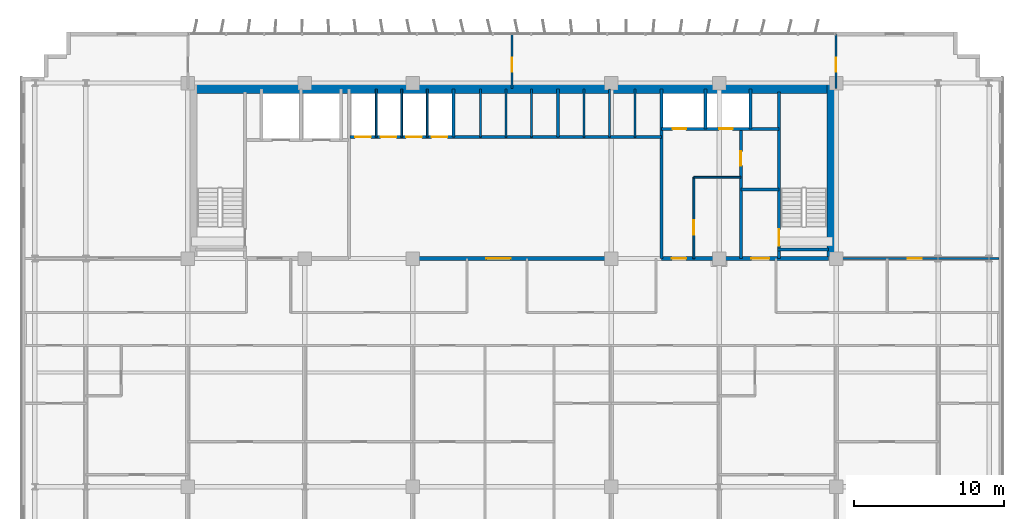
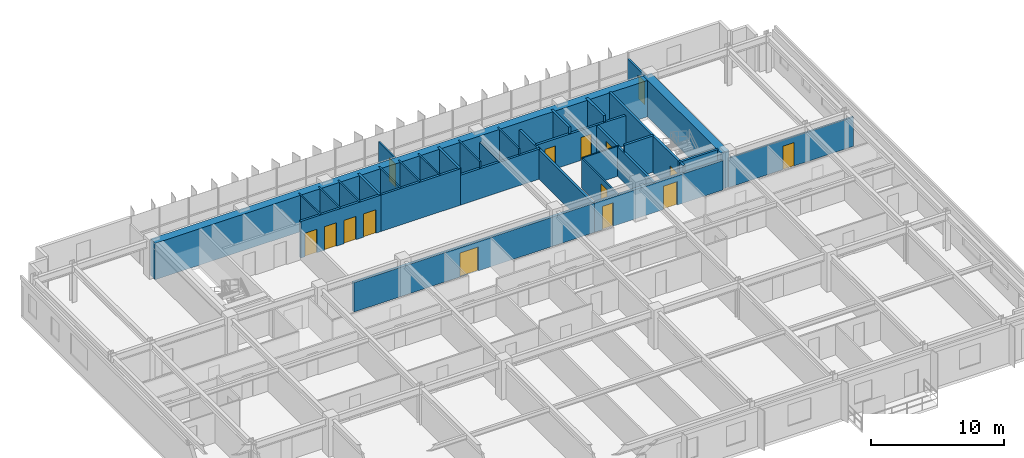
# One storey, part 18 of 22: 31 walls, 15 doors, 15 openings.
"""IFC4 building model written with IfcOpenShell, lengths in metres."""

from ifc_helpers import new_model, si_unit, direction, frame, frame_2d, origin, place, context, subcontext, project, spatial, rectangle, extrude, source, transform, mapped, material, layer, layer_set, type_object, element, fill, save


model = new_model("IFC4")

# Units and contexts
model_context = context("Model", 3, precision=1e-05, world=origin(), true_north=direction((0.0, 1.0)))
body_context = subcontext(model_context, "Body", "Model", "MODEL_VIEW")
ifc_project = project(units=[si_unit("LENGTHUNIT", "METRE"), si_unit("AREAUNIT", "SQUARE_METRE"), si_unit("VOLUMEUNIT", "CUBIC_METRE"), si_unit("PLANEANGLEUNIT", "RADIAN"), si_unit("MASSUNIT", "GRAM", prefix="KILO")], contexts=[model_context])

# Site, building, storey
site_placement = place(None, origin())
site = spatial("IfcSite", under=ifc_project, at=site_placement, CompositionType="ELEMENT")
building_placement = place(site_placement, origin())
building = spatial("IfcBuilding", under=site, at=building_placement, Name="Trelvane Seafront Commons", CompositionType="ELEMENT")
storey_placement = place(building_placement, frame((0.0, 0.0, 55.89990234375)))
storey = spatial("IfcBuildingStorey", under=building, at=storey_placement, Name="L14", CompositionType="ELEMENT", Elevation=55.89990234375)

# Wall, opening, door
ifc_material_1 = material(Name="Concrete C40/50", Category="concrete")
ifc_layer_1 = layer(ifc_material_1, 0.199951171875, Name="ARCH-WALL-FIRE200")
ifc_layer_set_1 = layer_set([ifc_layer_1], Name="Concrete C40/50")
wall_type_1 = type_object("IfcWallType", Name="ARCH-WALL-FIRE200", PredefinedType="PARTITIONING", material=ifc_layer_set_1)
wall_1_placement = place(storey_placement, frame((52.449951171875, 33.39990234375, 0.0), z_axis=(0.0, 0.0, 1.0), x_axis=(0.0, 1.0, 0.0)))
wall_1 = element("IfcWall", 1, at=wall_1_placement, inside=storey, type_object=wall_type_1, Name="W-L14-ST2V-W-033", PredefinedType="PARTITIONING", context=body_context, shape_type="SweptSolid", body=[
    extrude(rectangle(XDim=8.650146484375, YDim=0.199951171875, at=frame_2d((4.3251953125, 0.0))), origin(), (0.0, 0.0, 1.0), 2.690185546875),
])
opening_1_placement = place(wall_1_placement, frame((6.199951171875, 0.0, 0.0)))
opening_1 = element("IfcOpeningElement", 2, at=opening_1_placement, cuts=wall_1, Name="Opening FD-L14-13", PredefinedType="OPENING", context=body_context, shape_type="SweptSolid", body=[
    extrude(rectangle(XDim=0.949951171875, YDim=2.14990234375, at=frame_2d((0.47509765625, 1.074951171875))), frame((0.0, 0.10986328125, 0.0), z_axis=(0.0, -1.0, 0.0), x_axis=(1.0, 0.0, 0.0)), (0.0, 0.0, 1.0), 0.219970703125),
])
ifc_material_2 = material(Name="Powder-coated aluminium frame", Category="aluminium")
door_type_1 = type_object("IfcDoorType", Name="ARCH-DR-FD60-950", OperationType="NOTDEFINED", PredefinedType="DOOR", material=ifc_material_2)
shared_shape_1 = source(origin(), body_context, "Body", "SweptSolid", [
    extrude(rectangle(XDim=0.949951171875, YDim=2.14990234375, at=frame_2d((0.47509765625, 1.074951171875))), frame((0.0, 0.02490234375, 0.0), z_axis=(0.0, -1.0, 0.0), x_axis=(1.0, 0.0, 0.0)), (0.0, 0.0, 1.0), 0.050048828125),
])
door_1_placement = place(opening_1_placement, origin())
door_1 = element("IfcDoor", 3, at=door_1_placement, inside=storey, type_object=door_type_1, Name="L14 Cleaner Store Door", OperationType="SINGLE_SWING_LEFT", OverallHeight=2.14990234375, OverallWidth=0.949951171875, PredefinedType="DOOR", context=body_context, shape_type="MappedRepresentation", body=[
    mapped(shared_shape_1, transform((0.0, 0.0, 0.0), x_axis=(1.0, 0.0, 0.0), y_axis=(0.0, 1.0, 0.0), z_axis=(0.0, 0.0, 1.0), scale=1.0)),
])
fill(opening_1, door_1)

# Wall
wall_2_placement = place(storey_placement, frame((52.449951171875, 38.0, 0.0), z_axis=(0.0, 0.0, 1.0), x_axis=(1.0, 0.0, 0.0)))
element("IfcWall", 4, at=wall_2_placement, inside=storey, type_object=wall_type_1, Name="W-L14-ST2V-N-034", PredefinedType="PARTITIONING", context=body_context, shape_type="SweptSolid", body=[
    extrude(rectangle(XDim=2.550048828125, YDim=0.199951171875, at=frame_2d((1.27490234375, 0.0))), origin(), (0.0, 0.0, 1.0), 3.340087890625),
])

# Wall, opening, door
ifc_layer_2 = layer(ifc_material_1, 0.25, Name="ARCH-WALL-FIRE250")
ifc_layer_set_2 = layer_set([ifc_layer_2], Name="Concrete C40/50")
wall_type_2 = type_object("IfcWallType", Name="ARCH-WALL-FIRE250", PredefinedType="PARTITIONING", material=ifc_layer_set_2)
wall_3_placement = place(storey_placement, frame((26.300048828125, 33.39990234375, 0.0), z_axis=(0.0, 0.0, 1.0), x_axis=(1.0, 0.0, 0.0)))
wall_3 = element("IfcWall", 5, at=wall_3_placement, inside=storey, type_object=wall_type_2, Name="W-L14-CS-PAX-029", PredefinedType="PARTITIONING", context=body_context, shape_type="SweptSolid", body=[
    extrude(rectangle(XDim=20.849853515625, YDim=0.25, at=frame_2d((10.4248046875, 0.0))), origin(), (0.0, 0.0, 1.0), 2.690185546875),
])
opening_2_placement = place(wall_3_placement, frame((9.199951171875, 0.0, 0.0)))
opening_2 = element("IfcOpeningElement", 6, at=opening_2_placement, cuts=wall_3, Name="Opening FD-L14-10", PredefinedType="OPENING", context=body_context, shape_type="SweptSolid", body=[
    extrude(rectangle(XDim=1.60009765625, YDim=2.199951171875, at=frame_2d((0.800048828125, 1.10009765625))), frame((0.0, 0.135009765625, 0.0), z_axis=(0.0, -1.0, 0.0), x_axis=(1.0, 0.0, 0.0)), (0.0, 0.0, 1.0), 0.27001953125),
])
door_type_2 = type_object("IfcDoorType", Name="ARCH-DR-FD60-1600", OperationType="DOUBLE_DOOR_SINGLE_SWING", PredefinedType="DOOR", material=ifc_material_2)
shared_shape_2 = source(origin(), body_context, "Body", "SweptSolid", [
    extrude(rectangle(XDim=1.60009765625, YDim=2.199951171875, at=frame_2d((0.800048828125, 1.10009765625))), frame((0.0, 0.02490234375, 0.0), z_axis=(0.0, -1.0, 0.0), x_axis=(1.0, 0.0, 0.0)), (0.0, 0.0, 1.0), 0.050048828125),
])
door_2_placement = place(opening_2_placement, origin())
door_2 = element("IfcDoor", 7, at=door_2_placement, inside=storey, type_object=door_type_2, Name="L14 Passenger Lift Lobby Double Door", OperationType="DOUBLE_DOOR_SINGLE_SWING", OverallHeight=2.199951171875, OverallWidth=1.60009765625, PredefinedType="DOOR", context=body_context, shape_type="MappedRepresentation", body=[
    mapped(shared_shape_2, transform((0.0, 0.0, 0.0), x_axis=(1.0, 0.0, 0.0), y_axis=(0.0, 1.0, 0.0), z_axis=(0.0, 0.0, 1.0), scale=1.0)),
])
fill(opening_2, door_2)

# Wall, openings, doors
wall_4_placement = place(storey_placement, frame((47.14990234375, 33.39990234375, 0.0), z_axis=(0.0, 0.0, 1.0), x_axis=(1.0, 0.0, 0.0)))
wall_4 = element("IfcWall", 8, at=wall_4_placement, inside=storey, type_object=wall_type_2, Name="W-L14-CS-EAST-037", PredefinedType="PARTITIONING", context=body_context, shape_type="SweptSolid", body=[
    extrude(rectangle(XDim=11.150146484375, YDim=0.25, at=frame_2d((5.5751953125, 0.0))), origin(), (0.0, 0.0, 1.0), 2.690185546875),
])
opening_3_placement = place(wall_4_placement, frame((0.699951171875, 0.0, 0.0)))
opening_3 = element("IfcOpeningElement", 9, at=opening_3_placement, cuts=wall_4, Name="Opening FD-L14-15", PredefinedType="OPENING", context=body_context, shape_type="SweptSolid", body=[
    extrude(rectangle(XDim=0.949951171875, YDim=2.14990234375, at=frame_2d((0.47509765625, 1.074951171875))), frame((0.0, 0.135009765625, 0.0), z_axis=(0.0, -1.0, 0.0), x_axis=(1.0, 0.0, 0.0)), (0.0, 0.0, 1.0), 0.27001953125),
])
opening_4_placement = place(wall_4_placement, frame((6.0, 0.0, 0.0)))
opening_4 = element("IfcOpeningElement", 10, at=opening_4_placement, cuts=wall_4, Name="Opening FD-L14-16", PredefinedType="OPENING", context=body_context, shape_type="SweptSolid", body=[
    extrude(rectangle(XDim=1.199951171875, YDim=2.14990234375, at=frame_2d((0.60009765625, 1.074951171875))), frame((0.0, 0.135009765625, 0.0), z_axis=(0.0, -1.0, 0.0), x_axis=(1.0, 0.0, 0.0)), (0.0, 0.0, 1.0), 0.27001953125),
])
door_3_placement = place(opening_3_placement, origin())
door_3 = element("IfcDoor", 11, at=door_3_placement, inside=storey, type_object=door_type_1, Name="L14 Core Service Lobby Door", OperationType="SINGLE_SWING_LEFT", OverallHeight=2.14990234375, OverallWidth=0.949951171875, PredefinedType="DOOR", context=body_context, shape_type="MappedRepresentation", body=[
    mapped(shared_shape_1, transform((0.0, 0.0, 0.0), x_axis=(1.0, 0.0, 0.0), y_axis=(0.0, 1.0, 0.0), z_axis=(0.0, 0.0, 1.0), scale=1.0)),
])
fill(opening_3, door_3)
door_type_3 = type_object("IfcDoorType", Name="ARCH-DR-FD60-1200", OperationType="NOTDEFINED", PredefinedType="DOOR", material=ifc_material_2)
shared_shape_3 = source(origin(), body_context, "Body", "SweptSolid", [
    extrude(rectangle(XDim=1.199951171875, YDim=2.14990234375, at=frame_2d((0.60009765625, 1.074951171875))), frame((0.0, 0.02490234375, 0.0), z_axis=(0.0, -1.0, 0.0), x_axis=(1.0, 0.0, 0.0)), (0.0, 0.0, 1.0), 0.050048828125),
])
door_4_placement = place(opening_4_placement, origin())
door_4 = element("IfcDoor", 12, at=door_4_placement, inside=storey, type_object=door_type_3, Name="L14 East Stair Vestibule Fire Door", OperationType="SINGLE_SWING_RIGHT", OverallHeight=2.14990234375, OverallWidth=1.199951171875, PredefinedType="DOOR", context=body_context, shape_type="MappedRepresentation", body=[
    mapped(shared_shape_3, transform((0.0, 0.0, 0.0), x_axis=(1.0, 0.0, 0.0), y_axis=(0.0, 1.0, 0.0), z_axis=(0.0, 0.0, 1.0), scale=1.0)),
])
fill(opening_4, door_4)

# Walls
ifc_material_3 = material(Name="Gypsum Drywall Acoustic Partition")
ifc_layer_3 = layer(ifc_material_3, 0.1201171875, Name="ARCH-WALL-PART120")
ifc_layer_set_3 = layer_set([ifc_layer_3], Name="Gypsum Drywall Acoustic Partition")
wall_type_3 = type_object("IfcWallType", Name="ARCH-WALL-PART120", PredefinedType="PARTITIONING", material=ifc_layer_set_3)
for number, where, z_axis, x_axis, name in (
    (13, (28.14990234375, 41.5, 0.0), (0.0, 0.0, 1.0), (0.0, 1.0, 0.0), "W-L14-PL-DIV1-016"),
    (14, (29.85009765625, 41.5, 0.0), (0.0, 0.0, 1.0), (0.0, 1.0, 0.0), "W-L14-PL-DIV2-017"),
    (15, (31.550048828125, 41.5, 0.0), (0.0, 0.0, 1.0), (0.0, 1.0, 0.0), "W-L14-PL-DIV3-018"),
    (16, (35.10009765625, 41.5, 0.0), (0.0, 0.0, 1.0), (0.0, 1.0, 0.0), "W-L14-PM-DIV1-020"),
    (17, (36.800048828125, 41.5, 0.0), (0.0, 0.0, 1.0), (0.0, 1.0, 0.0), "W-L14-PM-DIV2-021"),
    (18, (38.5, 41.5, 0.0), (0.0, 0.0, 1.0), (0.0, 1.0, 0.0), "W-L14-PM-DIV3-022"),
    (19, (42.0, 41.5, 0.0), (0.0, 0.0, 1.0), (0.0, 1.0, 0.0), "W-L14-PH-DIV1-025"),
):
    element("IfcWall", number, at=place(storey_placement, frame(where, z_axis=z_axis, x_axis=x_axis)), inside=storey, type_object=wall_type_3, Name=name, PredefinedType="PARTITIONING", context=body_context, shape_type="SweptSolid", body=[
        extrude(rectangle(XDim=3.199951171875, YDim=0.1201171875, at=frame_2d((1.60009765625, 0.0))), origin(), (0.0, 0.0, 1.0), 3.340087890625),
    ])
wall_5_placement = place(storey_placement, frame((43.699951171875, 41.5, 0.0), z_axis=(0.0, 0.0, 1.0), x_axis=(0.0, 1.0, 0.0)))
element("IfcWall", 20, at=wall_5_placement, inside=storey, type_object=wall_type_3, Name="W-L14-PH-DIV2-026", PredefinedType="PARTITIONING", context=body_context, shape_type="SweptSolid", body=[
    extrude(rectangle(XDim=3.199951171875, YDim=0.1201171875, at=frame_2d((1.60009765625, 0.0))), origin(), (0.0, 0.0, 1.0), 2.752197265625),
])
wall_6_placement = place(storey_placement, frame((45.39990234375, 41.5, 0.0), z_axis=(0.0, 0.0, 1.0), x_axis=(0.0, 1.0, 0.0)))
element("IfcWall", 21, at=wall_6_placement, inside=storey, type_object=wall_type_3, Name="W-L14-PH-DIV3-027", PredefinedType="PARTITIONING", context=body_context, shape_type="SweptSolid", body=[
    extrude(rectangle(XDim=3.199951171875, YDim=0.1201171875, at=frame_2d((1.60009765625, 0.0))), origin(), (0.0, 0.0, 1.0), 3.340087890625),
])

# Wall, opening, door
wall_7_placement = place(storey_placement, frame((49.320068359375, 33.39990234375, 0.0), z_axis=(0.0, 0.0, 1.0), x_axis=(0.0, 1.0, 0.0)))
wall_7 = element("IfcWall", 22, at=wall_7_placement, inside=storey, type_object=wall_type_3, Name="W-L14-CYC2-V-035", PredefinedType="PARTITIONING", context=body_context, shape_type="SweptSolid", body=[
    extrude(rectangle(XDim=5.420166015625, YDim=0.1201171875, at=frame_2d((2.7099609375, 0.0))), origin(), (0.0, 0.0, 1.0), 2.690185546875),
])
opening_5_placement = place(wall_7_placement, frame((1.60009765625, 0.0, 0.0)))
opening_5 = element("IfcOpeningElement", 23, at=opening_5_placement, cuts=wall_7, Name="Opening D-L14-14", PredefinedType="OPENING", context=body_context, shape_type="SweptSolid", body=[
    extrude(rectangle(XDim=0.949951171875, YDim=2.14990234375, at=frame_2d((0.47509765625, 1.074951171875))), frame((0.0, 0.070068359375, 0.0), z_axis=(0.0, -1.0, 0.0), x_axis=(1.0, 0.0, 0.0)), (0.0, 0.0, 1.0), 0.14013671875),
])
ifc_material_4 = material(Name="Acoustic timber door leaf", Category="wood")
door_type_4 = type_object("IfcDoorType", Name="ARCH-DR-INT950", OperationType="NOTDEFINED", PredefinedType="DOOR", material=ifc_material_4)
door_5_placement = place(opening_5_placement, origin())
door_5 = element("IfcDoor", 24, at=door_5_placement, inside=storey, type_object=door_type_4, Name="L14 Accessible WC Door", OperationType="SINGLE_SWING_RIGHT", OverallHeight=2.14990234375, OverallWidth=0.949951171875, PredefinedType="DOOR", context=body_context, shape_type="MappedRepresentation", body=[
    mapped(shared_shape_1, transform((0.0, 0.0, 0.0), x_axis=(1.0, 0.0, 0.0), y_axis=(0.0, 1.0, 0.0), z_axis=(0.0, 0.0, 1.0), scale=1.0)),
])
fill(opening_5, door_5)

# Wall
wall_8_placement = place(storey_placement, frame((49.320068359375, 38.820068359375, 0.0), z_axis=(0.0, 0.0, 1.0), x_axis=(1.0, 0.0, 0.0)))
element("IfcWall", 25, at=wall_8_placement, inside=storey, type_object=wall_type_3, Name="W-L14-CYC2-H-036", PredefinedType="PARTITIONING", context=body_context, shape_type="SweptSolid", body=[
    extrude(rectangle(XDim=3.1298828125, YDim=0.1201171875, at=frame_2d((1.56494140625, 0.0))), origin(), (0.0, 0.0, 1.0), 2.752197265625),
])

# Wall, opening, door
wall_9_placement = place(storey_placement, frame((37.199951171875, 44.75, 0.0), z_axis=(0.0, 0.0, 1.0), x_axis=(0.0, 1.0, 0.0)))
wall_9 = element("IfcWall", 26, at=wall_9_placement, inside=storey, type_object=wall_type_3, Name="W-L14-N-MID-DV-051", PredefinedType="PARTITIONING", context=body_context, shape_type="SweptSolid", body=[
    extrude(rectangle(XDim=3.610107421875, YDim=0.1201171875, at=frame_2d((1.80517578125, 0.0))), origin(), (0.0, 0.0, 1.0), 2.690185546875),
])
opening_6_placement = place(wall_9_placement, frame((1.10009765625, 0.0, 0.0)))
opening_6 = element("IfcOpeningElement", 27, at=opening_6_placement, cuts=wall_9, Name="Opening D-L14-24", PredefinedType="OPENING", context=body_context, shape_type="SweptSolid", body=[
    extrude(rectangle(XDim=0.949951171875, YDim=2.14990234375, at=frame_2d((0.47509765625, 1.074951171875))), frame((0.0, 0.070068359375, 0.0), z_axis=(0.0, -1.0, 0.0), x_axis=(1.0, 0.0, 0.0)), (0.0, 0.0, 1.0), 0.14013671875),
])
door_6_placement = place(opening_6_placement, origin())
door_6 = element("IfcDoor", 28, at=door_6_placement, inside=storey, type_object=door_type_4, Name="L14 Door 24", OperationType="SINGLE_SWING_RIGHT", OverallHeight=2.14990234375, OverallWidth=0.949951171875, PredefinedType="DOOR", context=body_context, shape_type="MappedRepresentation", body=[
    mapped(shared_shape_1, transform((0.0, 0.0, 0.0), x_axis=(1.0, 0.0, 0.0), y_axis=(0.0, 1.0, 0.0), z_axis=(0.0, 0.0, 1.0), scale=1.0)),
])
fill(opening_6, door_6)

ifc_layer_4 = layer(ifc_material_3, 0.14990234375, Name="ARCH-WALL-PART150")
ifc_layer_set_4 = layer_set([ifc_layer_4], Name="Gypsum Drywall Acoustic Partition")
wall_type_4 = type_object("IfcWallType", Name="ARCH-WALL-PART150", PredefinedType="PARTITIONING", material=ifc_layer_set_4)
wall_10_placement = place(storey_placement, frame((58.800048828125, 33.39990234375, 0.0), z_axis=(0.0, 0.0, 1.0), x_axis=(1.0, 0.0, 0.0)))
wall_10 = element("IfcWall", 29, at=wall_10_placement, inside=storey, type_object=wall_type_4, Name="W-L14-NE-ENT-050", PredefinedType="PARTITIONING", context=body_context, shape_type="SweptSolid", body=[
    extrude(rectangle(XDim=10.849853515625, YDim=0.14990234375, at=frame_2d((5.4248046875, 0.0))), origin(), (0.0, 0.0, 1.0), 2.690185546875),
])
opening_7_placement = place(wall_10_placement, frame((4.760009765625, 0.0, 0.0)))
opening_7 = element("IfcOpeningElement", 30, at=opening_7_placement, cuts=wall_10, Name="Opening FD-L14-23", PredefinedType="OPENING", context=body_context, shape_type="SweptSolid", body=[
    extrude(rectangle(XDim=0.949951171875, YDim=2.14990234375, at=frame_2d((0.47509765625, 1.074951171875))), frame((0.0, 0.0849609375, 0.0), z_axis=(0.0, -1.0, 0.0), x_axis=(1.0, 0.0, 0.0)), (0.0, 0.0, 1.0), 0.169921875),
])
door_7_placement = place(opening_7_placement, origin())
door_7 = element("IfcDoor", 31, at=door_7_placement, inside=storey, type_object=door_type_1, Name="L14 NE Suite Entrance Door", OperationType="SINGLE_SWING_LEFT", OverallHeight=2.14990234375, OverallWidth=0.949951171875, PredefinedType="DOOR", context=body_context, shape_type="MappedRepresentation", body=[
    mapped(shared_shape_1, transform((0.0, 0.0, 0.0), x_axis=(1.0, 0.0, 0.0), y_axis=(0.0, 1.0, 0.0), z_axis=(0.0, 0.0, 1.0), scale=1.0)),
])
fill(opening_7, door_7)

wall_11_placement = place(storey_placement, frame((58.800048828125, 44.75, 0.0), z_axis=(0.0, 0.0, 1.0), x_axis=(0.0, 1.0, 0.0)))
wall_11 = element("IfcWall", 32, at=wall_11_placement, inside=storey, type_object=wall_type_4, Name="W-L14-N-LINK-E-053", PredefinedType="PARTITIONING", context=body_context, shape_type="SweptSolid", body=[
    extrude(rectangle(XDim=3.610107421875, YDim=0.14990234375, at=frame_2d((1.80517578125, 0.0))), origin(), (0.0, 0.0, 1.0), 2.752197265625),
])
opening_8_placement = place(wall_11_placement, frame((1.10009765625, 0.0, 0.0)))
opening_8 = element("IfcOpeningElement", 33, at=opening_8_placement, cuts=wall_11, Name="Opening FD-L14-26", PredefinedType="OPENING", context=body_context, shape_type="SweptSolid", body=[
    extrude(rectangle(XDim=0.949951171875, YDim=2.14990234375, at=frame_2d((0.47509765625, 1.074951171875))), frame((0.0, 0.0849609375, 0.0), z_axis=(0.0, -1.0, 0.0), x_axis=(1.0, 0.0, 0.0)), (0.0, 0.0, 1.0), 0.169921875),
])
door_8_placement = place(opening_8_placement, origin())
door_8 = element("IfcDoor", 34, at=door_8_placement, inside=storey, type_object=door_type_1, Name="L14 Door 26", OperationType="SINGLE_SWING_RIGHT", OverallHeight=2.14990234375, OverallWidth=0.949951171875, PredefinedType="DOOR", context=body_context, shape_type="MappedRepresentation", body=[
    mapped(shared_shape_1, transform((0.0, 0.0, 0.0), x_axis=(1.0, 0.0, 0.0), y_axis=(0.0, 1.0, 0.0), z_axis=(0.0, 0.0, 1.0), scale=1.0)),
])
fill(opening_8, door_8)

# Wall, openings, doors
ifc_layer_5 = layer(ifc_material_1, 0.199951171875, Name="ARCH-WALL-SHAFT200")
ifc_layer_set_5 = layer_set([ifc_layer_5], Name="Concrete C40/50")
wall_type_5 = type_object("IfcWallType", Name="ARCH-WALL-SHAFT200", PredefinedType="SOLIDWALL", material=ifc_layer_set_5)
wall_12_placement = place(storey_placement, frame((26.39990234375, 41.5, 0.0), z_axis=(0.0, 0.0, 1.0), x_axis=(1.0, 0.0, 0.0)))
wall_12 = element("IfcWall", 35, at=wall_12_placement, inside=storey, type_object=wall_type_5, Name="W-L14-PL-FRONT-014", PredefinedType="SOLIDWALL", context=body_context, shape_type="SweptSolid", body=[
    extrude(rectangle(XDim=6.9501953125, YDim=0.199951171875, at=frame_2d((3.47509765625, 0.0))), origin(), (0.0, 0.0, 1.0), 3.340087890625),
])
opening_9_placement = place(wall_12_placement, frame((0.35009765625, 0.0, 0.0)))
opening_9 = element("IfcOpeningElement", 36, at=opening_9_placement, cuts=wall_12, Name="Opening LD-PL1-L14", PredefinedType="OPENING", context=body_context, shape_type="SweptSolid", body=[
    extrude(rectangle(XDim=1.050048828125, YDim=2.14990234375, at=frame_2d((0.52490234375, 1.074951171875))), frame((0.0, 0.10986328125, 0.0), z_axis=(0.0, -1.0, 0.0), x_axis=(1.0, 0.0, 0.0)), (0.0, 0.0, 1.0), 0.219970703125),
])
opening_10_placement = place(wall_12_placement, frame((2.050048828125, 0.0, 0.0)))
opening_10 = element("IfcOpeningElement", 37, at=opening_10_placement, cuts=wall_12, Name="Opening LD-PL2-L14", PredefinedType="OPENING", context=body_context, shape_type="SweptSolid", body=[
    extrude(rectangle(XDim=1.050048828125, YDim=2.14990234375, at=frame_2d((0.52490234375, 1.074951171875))), frame((0.0, 0.10986328125, 0.0), z_axis=(0.0, -1.0, 0.0), x_axis=(1.0, 0.0, 0.0)), (0.0, 0.0, 1.0), 0.219970703125),
])
opening_11_placement = place(wall_12_placement, frame((3.75, 0.0, 0.0)))
opening_11 = element("IfcOpeningElement", 38, at=opening_11_placement, cuts=wall_12, Name="Opening LD-PL3-L14", PredefinedType="OPENING", context=body_context, shape_type="SweptSolid", body=[
    extrude(rectangle(XDim=1.050048828125, YDim=2.14990234375, at=frame_2d((0.52490234375, 1.074951171875))), frame((0.0, 0.10986328125, 0.0), z_axis=(0.0, -1.0, 0.0), x_axis=(1.0, 0.0, 0.0)), (0.0, 0.0, 1.0), 0.219970703125),
])
opening_12_placement = place(wall_12_placement, frame((5.449951171875, 0.0, 0.0)))
opening_12 = element("IfcOpeningElement", 39, at=opening_12_placement, cuts=wall_12, Name="Opening LD-PL4-L14", PredefinedType="OPENING", context=body_context, shape_type="SweptSolid", body=[
    extrude(rectangle(XDim=1.050048828125, YDim=2.14990234375, at=frame_2d((0.52490234375, 1.074951171875))), frame((0.0, 0.10986328125, 0.0), z_axis=(0.0, -1.0, 0.0), x_axis=(1.0, 0.0, 0.0)), (0.0, 0.0, 1.0), 0.219970703125),
])
ifc_material_5 = material(Name="Stainless steel balustrade", Category="steel")
door_type_5 = type_object("IfcDoorType", Name="ARCH-DR-LD1050", OperationType="DOUBLE_DOOR_SLIDING", PredefinedType="DOOR", material=ifc_material_5)
shared_shape_4 = source(origin(), body_context, "Body", "SweptSolid", [
    extrude(rectangle(XDim=1.050048828125, YDim=2.14990234375, at=frame_2d((0.52490234375, 1.074951171875))), frame((0.0, 0.02490234375, 0.0), z_axis=(0.0, -1.0, 0.0), x_axis=(1.0, 0.0, 0.0)), (0.0, 0.0, 1.0), 0.050048828125),
])
door_9_placement = place(opening_9_placement, origin())
door_9 = element("IfcDoor", 40, at=door_9_placement, inside=storey, type_object=door_type_5, Name="L14 Passenger Lift PL-1 Landing Door", OperationType="DOUBLE_DOOR_SLIDING", OverallHeight=2.14990234375, OverallWidth=1.050048828125, PredefinedType="DOOR", context=body_context, shape_type="MappedRepresentation", body=[
    mapped(shared_shape_4, transform((0.0, 0.0, 0.0), x_axis=(1.0, 0.0, 0.0), y_axis=(0.0, 1.0, 0.0), z_axis=(0.0, 0.0, 1.0), scale=1.0)),
])
fill(opening_9, door_9)
door_10_placement = place(opening_10_placement, origin())
door_10 = element("IfcDoor", 41, at=door_10_placement, inside=storey, type_object=door_type_5, Name="L14 Passenger Lift PL-2 Landing Door", OperationType="DOUBLE_DOOR_SLIDING", OverallHeight=2.14990234375, OverallWidth=1.050048828125, PredefinedType="DOOR", context=body_context, shape_type="MappedRepresentation", body=[
    mapped(shared_shape_4, transform((0.0, 0.0, 0.0), x_axis=(1.0, 0.0, 0.0), y_axis=(0.0, 1.0, 0.0), z_axis=(0.0, 0.0, 1.0), scale=1.0)),
])
fill(opening_10, door_10)
door_11_placement = place(opening_11_placement, origin())
door_11 = element("IfcDoor", 42, at=door_11_placement, inside=storey, type_object=door_type_5, Name="L14 Passenger Lift PL-3 Landing Door", OperationType="DOUBLE_DOOR_SLIDING", OverallHeight=2.14990234375, OverallWidth=1.050048828125, PredefinedType="DOOR", context=body_context, shape_type="MappedRepresentation", body=[
    mapped(shared_shape_4, transform((0.0, 0.0, 0.0), x_axis=(1.0, 0.0, 0.0), y_axis=(0.0, 1.0, 0.0), z_axis=(0.0, 0.0, 1.0), scale=1.0)),
])
fill(opening_11, door_11)
door_12_placement = place(opening_12_placement, origin())
door_12 = element("IfcDoor", 43, at=door_12_placement, inside=storey, type_object=door_type_5, Name="L14 Passenger Lift PL-4 Landing Door", OperationType="DOUBLE_DOOR_SLIDING", OverallHeight=2.14990234375, OverallWidth=1.050048828125, PredefinedType="DOOR", context=body_context, shape_type="MappedRepresentation", body=[
    mapped(shared_shape_4, transform((0.0, 0.0, 0.0), x_axis=(1.0, 0.0, 0.0), y_axis=(0.0, 1.0, 0.0), z_axis=(0.0, 0.0, 1.0), scale=1.0)),
])
fill(opening_12, door_12)

# Walls
wall_13_placement = place(storey_placement, frame((33.300048828125, 41.5, 0.0), z_axis=(0.0, 0.0, 1.0), x_axis=(0.0, 1.0, 0.0)))
element("IfcWall", 44, at=wall_13_placement, inside=storey, type_object=wall_type_5, Name="W-L14-PL-EAST-SH-015", PredefinedType="SOLIDWALL", context=body_context, shape_type="SweptSolid", body=[
    extrude(rectangle(XDim=3.199951171875, YDim=0.199951171875, at=frame_2d((1.60009765625, 0.0))), origin(), (0.0, 0.0, 1.0), 3.340087890625),
])
wall_14_placement = place(storey_placement, frame((33.35009765625, 41.5, 0.0), z_axis=(0.0, 0.0, 1.0), x_axis=(1.0, 0.0, 0.0)))
element("IfcWall", 45, at=wall_14_placement, inside=storey, type_object=wall_type_5, Name="W-L14-PM-FRONT-019", PredefinedType="SOLIDWALL", context=body_context, shape_type="SweptSolid", body=[
    extrude(rectangle(XDim=6.89990234375, YDim=0.199951171875, at=frame_2d((3.449951171875, 0.0))), origin(), (0.0, 0.0, 1.0), 3.340087890625),
])
wall_15_placement = place(storey_placement, frame((40.25, 41.5, 0.0), z_axis=(0.0, 0.0, 1.0), x_axis=(1.0, 0.0, 0.0)))
element("IfcWall", 46, at=wall_15_placement, inside=storey, type_object=wall_type_5, Name="W-L14-PH-FRONT-023", PredefinedType="SOLIDWALL", context=body_context, shape_type="SweptSolid", body=[
    extrude(rectangle(XDim=6.89990234375, YDim=0.199951171875, at=frame_2d((3.449951171875, 0.0))), origin(), (0.0, 0.0, 1.0), 2.752197265625),
])
wall_16_placement = place(storey_placement, frame((40.25, 41.5, 0.0), z_axis=(0.0, 0.0, 1.0), x_axis=(0.0, 1.0, 0.0)))
element("IfcWall", 47, at=wall_16_placement, inside=storey, type_object=wall_type_5, Name="W-L14-PH-WEST-SH-024", PredefinedType="SOLIDWALL", context=body_context, shape_type="SweptSolid", body=[
    extrude(rectangle(XDim=3.199951171875, YDim=0.199951171875, at=frame_2d((1.60009765625, 0.0))), origin(), (0.0, 0.0, 1.0), 3.340087890625),
])
wall_17_placement = place(storey_placement, frame((47.14990234375, 33.39990234375, 0.0), z_axis=(0.0, 0.0, 1.0), x_axis=(0.0, 1.0, 0.0)))
element("IfcWall", 48, at=wall_17_placement, inside=storey, type_object=wall_type_5, Name="W-L14-PH-EAST-028", PredefinedType="SOLIDWALL", context=body_context, shape_type="SweptSolid", body=[
    extrude(rectangle(XDim=11.300048828125, YDim=0.199951171875, at=frame_2d((5.64990234375, 0.0))), origin(), (0.0, 0.0, 1.0), 2.690185546875),
])

# Wall, openings, doors
wall_18_placement = place(storey_placement, frame((47.14990234375, 42.050048828125, 0.0), z_axis=(0.0, 0.0, 1.0), x_axis=(1.0, 0.0, 0.0)))
wall_18 = element("IfcWall", 49, at=wall_18_placement, inside=storey, type_object=wall_type_5, Name="W-L14-RSR-S-030", PredefinedType="SOLIDWALL", context=body_context, shape_type="SweptSolid", body=[
    extrude(rectangle(XDim=7.85009765625, YDim=0.199951171875, at=frame_2d((3.925048828125, 0.0))), origin(), (0.0, 0.0, 1.0), 2.752197265625),
])
opening_13_placement = place(wall_18_placement, frame((0.75, 0.0, 0.0)))
opening_13 = element("IfcOpeningElement", 50, at=opening_13_placement, cuts=wall_18, Name="Opening FD-L14-11", PredefinedType="OPENING", context=body_context, shape_type="SweptSolid", body=[
    extrude(rectangle(XDim=0.89990234375, YDim=2.10009765625, at=frame_2d((0.449951171875, 1.050048828125))), frame((0.0, 0.10986328125, 0.0), z_axis=(0.0, -1.0, 0.0), x_axis=(1.0, 0.0, 0.0)), (0.0, 0.0, 1.0), 0.219970703125),
])
opening_14_placement = place(wall_18_placement, frame((3.85009765625, 0.0, 0.0)))
opening_14 = element("IfcOpeningElement", 51, at=opening_14_placement, cuts=wall_18, Name="Opening FD-L14-12", PredefinedType="OPENING", context=body_context, shape_type="SweptSolid", body=[
    extrude(rectangle(XDim=0.89990234375, YDim=2.10009765625, at=frame_2d((0.449951171875, 1.050048828125))), frame((0.0, 0.10986328125, 0.0), z_axis=(0.0, -1.0, 0.0), x_axis=(1.0, 0.0, 0.0)), (0.0, 0.0, 1.0), 0.219970703125),
])
door_type_6 = type_object("IfcDoorType", Name="ARCH-DR-FD60-900", OperationType="NOTDEFINED", PredefinedType="DOOR", material=ifc_material_2)
shared_shape_5 = source(origin(), body_context, "Body", "SweptSolid", [
    extrude(rectangle(XDim=0.89990234375, YDim=2.10009765625, at=frame_2d((0.449951171875, 1.050048828125))), frame((0.0, 0.02490234375, 0.0), z_axis=(0.0, -1.0, 0.0), x_axis=(1.0, 0.0, 0.0)), (0.0, 0.0, 1.0), 0.050048828125),
])
door_13_placement = place(opening_13_placement, origin())
door_13 = element("IfcDoor", 52, at=door_13_placement, inside=storey, type_object=door_type_6, Name="L14 Electrical Riser Access Door", OperationType="SINGLE_SWING_LEFT", OverallHeight=2.10009765625, OverallWidth=0.89990234375, PredefinedType="DOOR", context=body_context, shape_type="MappedRepresentation", body=[
    mapped(shared_shape_5, transform((0.0, 0.0, 0.0), x_axis=(1.0, 0.0, 0.0), y_axis=(0.0, 1.0, 0.0), z_axis=(0.0, 0.0, 1.0), scale=1.0)),
])
fill(opening_13, door_13)
door_14_placement = place(opening_14_placement, origin())
door_14 = element("IfcDoor", 53, at=door_14_placement, inside=storey, type_object=door_type_6, Name="L14 Mechanical Riser Access Door", OperationType="SINGLE_SWING_RIGHT", OverallHeight=2.10009765625, OverallWidth=0.89990234375, PredefinedType="DOOR", context=body_context, shape_type="MappedRepresentation", body=[
    mapped(shared_shape_5, transform((0.0, 0.0, 0.0), x_axis=(1.0, 0.0, 0.0), y_axis=(0.0, 1.0, 0.0), z_axis=(0.0, 0.0, 1.0), scale=1.0)),
])
fill(opening_14, door_14)

# Walls
for number, where, z_axis, x_axis, name in (
    (54, (50.080078125, 42.050048828125, 0.0), (0.0, 0.0, 1.0), (0.0, 1.0, 0.0), "W-L14-RSR-DIV-031"),
    (55, (53.10009765625, 42.050048828125, 0.0), (0.0, 0.0, 1.0), (0.0, 1.0, 0.0), "W-L14-RSR-E-032"),
):
    element("IfcWall", number, at=place(storey_placement, frame(where, z_axis=z_axis, x_axis=x_axis)), inside=storey, type_object=wall_type_5, Name=name, PredefinedType="SOLIDWALL", context=body_context, shape_type="SweptSolid", body=[
        extrude(rectangle(XDim=2.64990234375, YDim=0.199951171875, at=frame_2d((1.324951171875, 0.0))), origin(), (0.0, 0.0, 1.0), 3.340087890625),
    ])
ifc_material_6 = material(Name="Concrete C60/75", Category="concrete")
ifc_layer_6 = layer(ifc_material_6, 0.699951171875, Name="STR-WALL-CORE700")
ifc_layer_set_6 = layer_set([ifc_layer_6], Name="Concrete C60/75")
wall_type_6 = type_object("IfcWallType", Name="STR-WALL-CORE700", PredefinedType="SHEAR", material=ifc_layer_set_6)
wall_19_placement = place(storey_placement, frame((15.5, 44.75, 0.0), z_axis=(0.0, 0.0, 1.0), x_axis=(1.0, 0.0, 0.0)))
element("IfcWall", 56, at=wall_19_placement, inside=storey, type_object=wall_type_6, Name="W-L14-CN-ALL-001", PredefinedType="SHEAR", context=body_context, shape_type="SweptSolid", body=[
    extrude(rectangle(XDim=43.39990234375, YDim=0.699951171875, at=frame_2d((21.699951171875, 0.0))), origin(), (0.0, 0.0, 1.0), 3.340087890625),
])
wall_20_placement = place(storey_placement, frame((58.550048828125, 33.39990234375, 0.0), z_axis=(0.0, 0.0, 1.0), x_axis=(0.0, 1.0, 0.0)))
element("IfcWall", 57, at=wall_20_placement, inside=storey, type_object=wall_type_6, Name="W-L14-CE-END-003", PredefinedType="SHEAR", context=body_context, shape_type="SweptSolid", body=[
    extrude(rectangle(XDim=11.7001953125, YDim=0.699951171875, at=frame_2d((5.85009765625, 0.0))), origin(), (0.0, 0.0, 1.0), 3.340087890625),
])
ifc_material_7 = material(Name="Concrete C50/60", Category="concrete")
ifc_layer_7 = layer(ifc_material_7, 0.199951171875, Name="STR-WALL-STAIR200")
ifc_layer_set_7 = layer_set([ifc_layer_7], Name="Concrete C50/60")
wall_type_7 = type_object("IfcWallType", Name="STR-WALL-STAIR200", PredefinedType="SHEAR", material=ifc_layer_set_7)
wall_21_placement = place(storey_placement, frame((54.89990234375, 34.0, 0.0), z_axis=(0.0, 0.0, 1.0), x_axis=(1.0, 0.0, 0.0)))
element("IfcWall", 58, at=wall_21_placement, inside=storey, type_object=wall_type_7, Name="W-L14-ST2-S-006", PredefinedType="SHEAR", context=body_context, shape_type="SweptSolid", body=[
    extrude(rectangle(XDim=3.400146484375, YDim=0.199951171875, at=frame_2d((1.7001953125, 0.0))), origin(), (0.0, 0.0, 1.0), 3.340087890625),
])

# Wall, opening, door
wall_22_placement = place(storey_placement, frame((55.0, 33.39990234375, 0.0), z_axis=(0.0, 0.0, 1.0), x_axis=(0.0, 1.0, 0.0)))
wall_22 = element("IfcWall", 59, at=wall_22_placement, inside=storey, type_object=wall_type_7, Name="W-L14-ST2-W-007", PredefinedType="SHEAR", context=body_context, shape_type="SweptSolid", body=[
    extrude(rectangle(XDim=11.10009765625, YDim=0.199951171875, at=frame_2d((5.550048828125, 0.0))), origin(), (0.0, 0.0, 1.0), 3.340087890625),
])
opening_15_placement = place(wall_22_placement, frame((0.85009765625, 0.0, 0.0)))
opening_15 = element("IfcOpeningElement", 60, at=opening_15_placement, cuts=wall_22, Name="Opening ST-D2-L14", PredefinedType="OPENING", context=body_context, shape_type="SweptSolid", body=[
    extrude(rectangle(XDim=1.10009765625, YDim=2.14990234375, at=frame_2d((0.550048828125, 1.074951171875))), frame((0.0, 0.10986328125, 0.0), z_axis=(0.0, -1.0, 0.0), x_axis=(1.0, 0.0, 0.0)), (0.0, 0.0, 1.0), 0.219970703125),
])
door_type_7 = type_object("IfcDoorType", Name="ARCH-DR-FD90-1100", OperationType="NOTDEFINED", PredefinedType="DOOR", material=ifc_material_2)
shared_shape_6 = source(origin(), body_context, "Body", "SweptSolid", [
    extrude(rectangle(XDim=1.10009765625, YDim=2.14990234375, at=frame_2d((0.550048828125, 1.074951171875))), frame((0.0, 0.02490234375, 0.0), z_axis=(0.0, -1.0, 0.0), x_axis=(1.0, 0.0, 0.0)), (0.0, 0.0, 1.0), 0.050048828125),
])
door_15_placement = place(opening_15_placement, origin())
door_15 = element("IfcDoor", 61, at=door_15_placement, inside=storey, type_object=door_type_7, Name="L14 Stair ST-2 Vestibule Fire Door", OperationType="SINGLE_SWING_RIGHT", OverallHeight=2.14990234375, OverallWidth=1.10009765625, PredefinedType="DOOR", context=body_context, shape_type="MappedRepresentation", body=[
    mapped(shared_shape_6, transform((0.0, 0.0, 0.0), x_axis=(1.0, 0.0, 0.0), y_axis=(0.0, 1.0, 0.0), z_axis=(0.0, 0.0, 1.0), scale=1.0)),
])
fill(opening_15, door_15)

save(model, "model.ifc")
